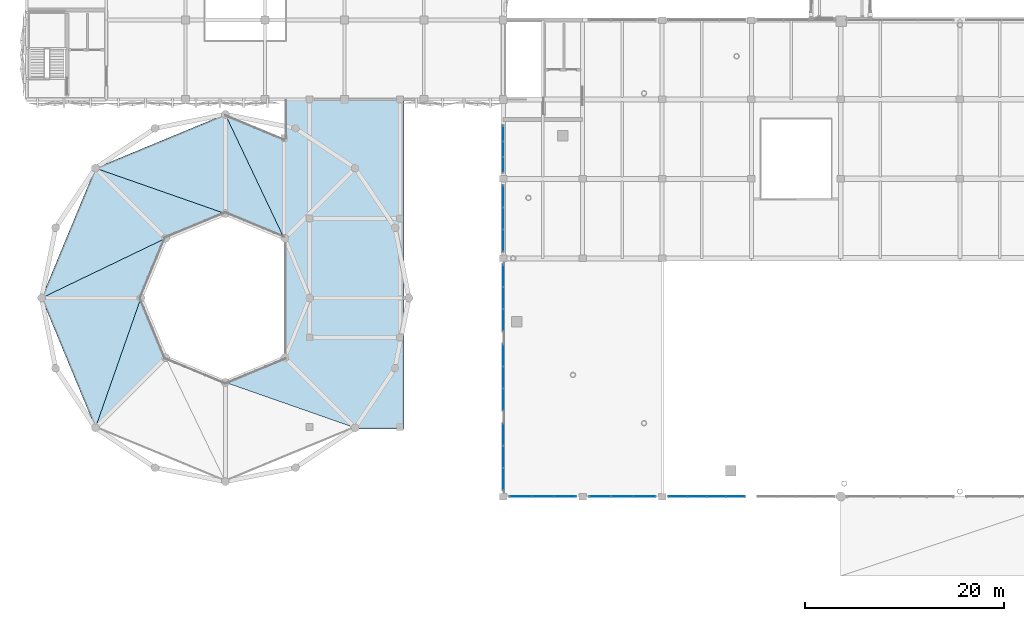
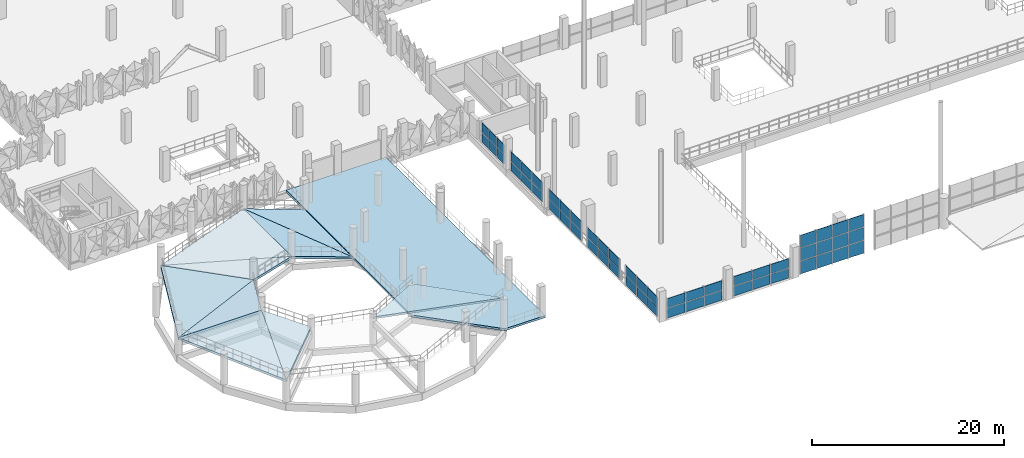
# One storey, part 60 of 123: 54 plates, 10 slabs, 8 elements without a shape of their own.
"""IFC4 building model written with IfcOpenShell, lengths in metres."""

from ifc_helpers import new_model, si_unit, derived_unit, direction, frame, origin, origin_2d, place, context, subcontext, project, spatial, polyline, rectangle, outline, extrude, material, layer, layer_set, type_object, element, aggregate, save


model = new_model("IFC4")

# Units and contexts
model_context = context("Model", 3, precision=1e-05, world=origin(), true_north=direction((0.0, 1.0)))
body_context = subcontext(model_context, "Body", "Model", "MODEL_VIEW")
ifc_project = project(units=[si_unit("LENGTHUNIT", "METRE"), si_unit("AREAUNIT", "SQUARE_METRE"), si_unit("VOLUMEUNIT", "CUBIC_METRE"), si_unit("PLANEANGLEUNIT", "RADIAN"), si_unit("MASSUNIT", "GRAM", prefix="KILO"), si_unit("THERMODYNAMICTEMPERATUREUNIT", "KELVIN"), derived_unit("THERMALTRANSMITTANCEUNIT", [(si_unit("POWERUNIT", "WATT"), 1), (si_unit("AREAUNIT", "SQUARE_METRE"), -1), (si_unit("THERMODYNAMICTEMPERATUREUNIT", "KELVIN"), -1)])], contexts=[model_context])

# Site, building, storey
site_placement = place(None, origin())
site = spatial("IfcSite", under=ifc_project, at=site_placement, CompositionType="ELEMENT")
building_placement = place(site_placement, origin())
building = spatial("IfcBuilding", under=site, at=building_placement, Name="Haiyu Intermodal Mobility Hub", CompositionType="ELEMENT")
storey_placement = place(building_placement, frame((0.0, 0.0, 5.60009765625)))
storey = spatial("IfcBuildingStorey", under=building, at=storey_placement, Name="L01", CompositionType="ELEMENT", Elevation=5.60009765625)

# Curtain wall, plates
ifc_material_1 = material(Name="Low-e laminated insulating glass", Category="glass")
ifc_layer_1 = layer(ifc_material_1, 0.219970703125)
ifc_layer_set_1 = layer_set([ifc_layer_1], Name="Low-e laminated insulating glass")
curtain_wall_type_1 = type_object("IfcCurtainWallType", Name="CW-CW01", PredefinedType="NOTDEFINED", material=ifc_layer_set_1)
curtain_wall_1_placement = place(storey_placement, origin())
curtain_wall_1 = element("IfcCurtainWall", 1, at=curtain_wall_1_placement, inside=storey, type_object=curtain_wall_type_1, Name="Curtain Wall CW-V1S-L01-002", PredefinedType="NOTDEFINED")
ifc_layer_2 = layer(ifc_material_1, 0.035888671875)
ifc_layer_set_2 = layer_set([ifc_layer_2], Name="Low-e laminated insulating glass")
plate_type_1 = type_object("IfcPlateType", Name="PLT-CP01", PredefinedType="CURTAIN_PANEL", material=ifc_layer_set_2)
plate_1_placement = place(storey_placement, frame((63.77294921875, 40.0, 0.035400390625), z_axis=(0.0, 0.0, 1.0), x_axis=(1.0, 0.0, 0.0)))
plate_1 = element("IfcPlate", 2, at=plate_1_placement, type_object=plate_type_1, Name="CW-V1S-L01-002-PN01", PredefinedType="CURTAIN_PANEL", context=body_context, shape_type="SweptSolid", body=[
    extrude(rectangle(XDim=2.136962890625, YDim=0.035888671875, at=origin_2d()), origin(), (0.0, 0.0, 1.0), 1.205078125),
])
plate_2_placement = place(storey_placement, frame((66.0, 40.0, 0.035400390625), z_axis=(0.0, 0.0, 1.0), x_axis=(1.0, 0.0, 0.0)))
plate_2 = element("IfcPlate", 3, at=plate_2_placement, type_object=plate_type_1, Name="CW-V1S-L01-002-PN03", PredefinedType="CURTAIN_PANEL", context=body_context, shape_type="SweptSolid", body=[
    extrude(rectangle(XDim=2.136962890625, YDim=0.035888671875, at=origin_2d()), origin(), (0.0, 0.0, 1.0), 1.205078125),
])
plate_3_placement = place(storey_placement, frame((68.22705078125, 40.0, 0.035400390625), z_axis=(0.0, 0.0, 1.0), x_axis=(1.0, 0.0, 0.0)))
plate_3 = element("IfcPlate", 4, at=plate_3_placement, type_object=plate_type_1, Name="CW-V1S-L01-002-PN05", PredefinedType="CURTAIN_PANEL", context=body_context, shape_type="SweptSolid", body=[
    extrude(rectangle(XDim=2.136962890625, YDim=0.035888671875, at=origin_2d()), origin(), (0.0, 0.0, 1.0), 1.205078125),
])

curtain_wall_2_placement = place(storey_placement, origin())
curtain_wall_2 = element("IfcCurtainWall", 5, at=curtain_wall_2_placement, inside=storey, type_object=curtain_wall_type_1, Name="Curtain Wall CW-V1S-L01-004", PredefinedType="NOTDEFINED")
plate_4_placement = place(storey_placement, frame((71.77294921875, 40.0, 0.035400390625), z_axis=(0.0, 0.0, 1.0), x_axis=(1.0, 0.0, 0.0)))
plate_4 = element("IfcPlate", 6, at=plate_4_placement, type_object=plate_type_1, Name="CW-V1S-L01-004-PN01", PredefinedType="CURTAIN_PANEL", context=body_context, shape_type="SweptSolid", body=[
    extrude(rectangle(XDim=2.136962890625, YDim=0.035888671875, at=origin_2d()), origin(), (0.0, 0.0, 1.0), 1.205078125),
])
plate_5_placement = place(storey_placement, frame((74.0, 40.0, 0.035400390625), z_axis=(0.0, 0.0, 1.0), x_axis=(1.0, 0.0, 0.0)))
plate_5 = element("IfcPlate", 7, at=plate_5_placement, type_object=plate_type_1, Name="CW-V1S-L01-004-PN03", PredefinedType="CURTAIN_PANEL", context=body_context, shape_type="SweptSolid", body=[
    extrude(rectangle(XDim=2.136962890625, YDim=0.035888671875, at=origin_2d()), origin(), (0.0, 0.0, 1.0), 1.205078125),
])
plate_6_placement = place(storey_placement, frame((76.22705078125, 40.0, 0.035400390625), z_axis=(0.0, 0.0, 1.0), x_axis=(1.0, 0.0, 0.0)))
plate_6 = element("IfcPlate", 8, at=plate_6_placement, type_object=plate_type_1, Name="CW-V1S-L01-004-PN05", PredefinedType="CURTAIN_PANEL", context=body_context, shape_type="SweptSolid", body=[
    extrude(rectangle(XDim=2.136962890625, YDim=0.035888671875, at=origin_2d()), origin(), (0.0, 0.0, 1.0), 1.205078125),
])

curtain_wall_3_placement = place(storey_placement, origin())
curtain_wall_3 = element("IfcCurtainWall", 9, at=curtain_wall_3_placement, inside=storey, type_object=curtain_wall_type_1, Name="Curtain Wall CW-V1S-UP-006", PredefinedType="NOTDEFINED")
plate_7_placement = place(storey_placement, frame((79.6201171875, 40.0, 0.03564453125), z_axis=(0.0, 0.0, 1.0), x_axis=(1.0, 0.0, 0.0)))
plate_7 = element("IfcPlate", 10, at=plate_7_placement, type_object=plate_type_1, Name="CW-V1S-UP-006-PN01", PredefinedType="CURTAIN_PANEL", context=body_context, shape_type="SweptSolid", body=[
    extrude(rectangle(XDim=1.830078125, YDim=0.035888671875, at=origin_2d()), origin(), (0.0, 0.0, 1.0), 1.596923828125),
])
plate_8_placement = place(storey_placement, frame((79.6201171875, 40.0, 1.7021484375), z_axis=(0.0, 0.0, 1.0), x_axis=(1.0, 0.0, 0.0)))
plate_8 = element("IfcPlate", 11, at=plate_8_placement, type_object=plate_type_1, Name="CW-V1S-UP-006-PN02", PredefinedType="CURTAIN_PANEL", context=body_context, shape_type="SweptSolid", body=[
    extrude(rectangle(XDim=1.830078125, YDim=0.035888671875, at=origin_2d()), origin(), (0.0, 0.0, 1.0), 1.595947265625),
])
plate_9_placement = place(storey_placement, frame((81.5400390625, 40.0, 0.03564453125), z_axis=(0.0, 0.0, 1.0), x_axis=(1.0, 0.0, 0.0)))
plate_9 = element("IfcPlate", 12, at=plate_9_placement, type_object=plate_type_1, Name="CW-V1S-UP-006-PN04", PredefinedType="CURTAIN_PANEL", context=body_context, shape_type="SweptSolid", body=[
    extrude(rectangle(XDim=1.830078125, YDim=0.035888671875, at=origin_2d()), origin(), (0.0, 0.0, 1.0), 1.596923828125),
])
plate_10_placement = place(storey_placement, frame((81.5400390625, 40.0, 1.7021484375), z_axis=(0.0, 0.0, 1.0), x_axis=(1.0, 0.0, 0.0)))
plate_10 = element("IfcPlate", 13, at=plate_10_placement, type_object=plate_type_1, Name="CW-V1S-UP-006-PN05", PredefinedType="CURTAIN_PANEL", context=body_context, shape_type="SweptSolid", body=[
    extrude(rectangle(XDim=1.830078125, YDim=0.035888671875, at=origin_2d()), origin(), (0.0, 0.0, 1.0), 1.595947265625),
])
plate_11_placement = place(storey_placement, frame((83.4599609375, 40.0, 0.03564453125), z_axis=(0.0, 0.0, 1.0), x_axis=(1.0, 0.0, 0.0)))
plate_11 = element("IfcPlate", 14, at=plate_11_placement, type_object=plate_type_1, Name="CW-V1S-UP-006-PN07", PredefinedType="CURTAIN_PANEL", context=body_context, shape_type="SweptSolid", body=[
    extrude(rectangle(XDim=1.830078125, YDim=0.035888671875, at=origin_2d()), origin(), (0.0, 0.0, 1.0), 1.596923828125),
])
plate_12_placement = place(storey_placement, frame((83.4599609375, 40.0, 1.7021484375), z_axis=(0.0, 0.0, 1.0), x_axis=(1.0, 0.0, 0.0)))
plate_12 = element("IfcPlate", 15, at=plate_12_placement, type_object=plate_type_1, Name="CW-V1S-UP-006-PN08", PredefinedType="CURTAIN_PANEL", context=body_context, shape_type="SweptSolid", body=[
    extrude(rectangle(XDim=1.830078125, YDim=0.035888671875, at=origin_2d()), origin(), (0.0, 0.0, 1.0), 1.595947265625),
])
plate_13_placement = place(storey_placement, frame((85.3798828125, 40.0, 0.03564453125), z_axis=(0.0, 0.0, 1.0), x_axis=(1.0, 0.0, 0.0)))
plate_13 = element("IfcPlate", 16, at=plate_13_placement, type_object=plate_type_1, Name="CW-V1S-UP-006-PN10", PredefinedType="CURTAIN_PANEL", context=body_context, shape_type="SweptSolid", body=[
    extrude(rectangle(XDim=1.830078125, YDim=0.035888671875, at=origin_2d()), origin(), (0.0, 0.0, 1.0), 1.596923828125),
])
plate_14_placement = place(storey_placement, frame((85.3798828125, 40.0, 1.7021484375), z_axis=(0.0, 0.0, 1.0), x_axis=(1.0, 0.0, 0.0)))
plate_14 = element("IfcPlate", 17, at=plate_14_placement, type_object=plate_type_1, Name="CW-V1S-UP-006-PN11", PredefinedType="CURTAIN_PANEL", context=body_context, shape_type="SweptSolid", body=[
    extrude(rectangle(XDim=1.830078125, YDim=0.035888671875, at=origin_2d()), origin(), (0.0, 0.0, 1.0), 1.595947265625),
])

ifc_layer_3 = layer(ifc_material_1, 0.25)
ifc_layer_set_3 = layer_set([ifc_layer_3], Name="Low-e laminated insulating glass")
curtain_wall_type_2 = type_object("IfcCurtainWallType", Name="CW-CW02", PredefinedType="NOTDEFINED", material=ifc_layer_set_3)
curtain_wall_4_placement = place(storey_placement, origin())
curtain_wall_4 = element("IfcCurtainWall", 18, at=curtain_wall_4_placement, inside=storey, type_object=curtain_wall_type_2, Name="Curtain Wall CW-V1W-L01-033", PredefinedType="NOTDEFINED")
plate_15_placement = place(storey_placement, frame((62.0, 46.22705078125, 0.035400390625), z_axis=(0.0, 0.0, 1.0), x_axis=(0.0, -1.0, 0.0)))
plate_15 = element("IfcPlate", 19, at=plate_15_placement, type_object=plate_type_1, Name="CW-V1W-L01-033-PN01", PredefinedType="CURTAIN_PANEL", context=body_context, shape_type="SweptSolid", body=[
    extrude(rectangle(XDim=2.136962890625, YDim=0.035888671875, at=origin_2d()), origin(), (0.0, 0.0, 1.0), 1.205078125),
])
plate_16_placement = place(storey_placement, frame((62.0, 44.0, 0.035400390625), z_axis=(0.0, 0.0, 1.0), x_axis=(0.0, -1.0, 0.0)))
plate_16 = element("IfcPlate", 20, at=plate_16_placement, type_object=plate_type_1, Name="CW-V1W-L01-033-PN03", PredefinedType="CURTAIN_PANEL", context=body_context, shape_type="SweptSolid", body=[
    extrude(rectangle(XDim=2.136962890625, YDim=0.035888671875, at=origin_2d()), origin(), (0.0, 0.0, 1.0), 1.205078125),
])
plate_17_placement = place(storey_placement, frame((62.0, 41.77294921875, 0.035400390625), z_axis=(0.0, 0.0, 1.0), x_axis=(0.0, -1.0, 0.0)))
plate_17 = element("IfcPlate", 21, at=plate_17_placement, type_object=plate_type_1, Name="CW-V1W-L01-033-PN05", PredefinedType="CURTAIN_PANEL", context=body_context, shape_type="SweptSolid", body=[
    extrude(rectangle(XDim=2.136962890625, YDim=0.035888671875, at=origin_2d()), origin(), (0.0, 0.0, 1.0), 1.205078125),
])

curtain_wall_5_placement = place(storey_placement, origin())
curtain_wall_5 = element("IfcCurtainWall", 22, at=curtain_wall_5_placement, inside=storey, type_object=curtain_wall_type_2, Name="Curtain Wall CW-V1W-L01-034", PredefinedType="NOTDEFINED")
plate_18_placement = place(storey_placement, frame((62.0, 54.22705078125, 0.035400390625), z_axis=(0.0, 0.0, 1.0), x_axis=(0.0, -1.0, 0.0)))
plate_18 = element("IfcPlate", 23, at=plate_18_placement, type_object=plate_type_1, Name="CW-V1W-L01-034-PN01", PredefinedType="CURTAIN_PANEL", context=body_context, shape_type="SweptSolid", body=[
    extrude(rectangle(XDim=2.136962890625, YDim=0.035888671875, at=origin_2d()), origin(), (0.0, 0.0, 1.0), 1.205078125),
])
plate_19_placement = place(storey_placement, frame((62.0, 52.0, 0.035400390625), z_axis=(0.0, 0.0, 1.0), x_axis=(0.0, -1.0, 0.0)))
plate_19 = element("IfcPlate", 24, at=plate_19_placement, type_object=plate_type_1, Name="CW-V1W-L01-034-PN03", PredefinedType="CURTAIN_PANEL", context=body_context, shape_type="SweptSolid", body=[
    extrude(rectangle(XDim=2.136962890625, YDim=0.035888671875, at=origin_2d()), origin(), (0.0, 0.0, 1.0), 1.205078125),
])
plate_20_placement = place(storey_placement, frame((62.0, 49.77294921875, 0.035400390625), z_axis=(0.0, 0.0, 1.0), x_axis=(0.0, -1.0, 0.0)))
plate_20 = element("IfcPlate", 25, at=plate_20_placement, type_object=plate_type_1, Name="CW-V1W-L01-034-PN05", PredefinedType="CURTAIN_PANEL", context=body_context, shape_type="SweptSolid", body=[
    extrude(rectangle(XDim=2.136962890625, YDim=0.035888671875, at=origin_2d()), origin(), (0.0, 0.0, 1.0), 1.205078125),
])

curtain_wall_6_placement = place(storey_placement, origin())
curtain_wall_6 = element("IfcCurtainWall", 26, at=curtain_wall_6_placement, inside=storey, type_object=curtain_wall_type_2, Name="Curtain Wall CW-V1W-L01-035", PredefinedType="NOTDEFINED")
plate_21_placement = place(storey_placement, frame((62.0, 62.22705078125, 0.035400390625), z_axis=(0.0, 0.0, 1.0), x_axis=(0.0, -1.0, 0.0)))
plate_21 = element("IfcPlate", 27, at=plate_21_placement, type_object=plate_type_1, Name="CW-V1W-L01-035-PN01", PredefinedType="CURTAIN_PANEL", context=body_context, shape_type="SweptSolid", body=[
    extrude(rectangle(XDim=2.136962890625, YDim=0.035888671875, at=origin_2d()), origin(), (0.0, 0.0, 1.0), 1.205078125),
])
plate_22_placement = place(storey_placement, frame((62.0, 60.0, 0.035400390625), z_axis=(0.0, 0.0, 1.0), x_axis=(0.0, -1.0, 0.0)))
plate_22 = element("IfcPlate", 28, at=plate_22_placement, type_object=plate_type_1, Name="CW-V1W-L01-035-PN03", PredefinedType="CURTAIN_PANEL", context=body_context, shape_type="SweptSolid", body=[
    extrude(rectangle(XDim=2.136962890625, YDim=0.035888671875, at=origin_2d()), origin(), (0.0, 0.0, 1.0), 1.205078125),
])
plate_23_placement = place(storey_placement, frame((62.0, 57.77294921875, 0.035400390625), z_axis=(0.0, 0.0, 1.0), x_axis=(0.0, -1.0, 0.0)))
plate_23 = element("IfcPlate", 29, at=plate_23_placement, type_object=plate_type_1, Name="CW-V1W-L01-035-PN05", PredefinedType="CURTAIN_PANEL", context=body_context, shape_type="SweptSolid", body=[
    extrude(rectangle(XDim=2.136962890625, YDim=0.035888671875, at=origin_2d()), origin(), (0.0, 0.0, 1.0), 1.205078125),
])

curtain_wall_7_placement = place(storey_placement, origin())
curtain_wall_7 = element("IfcCurtainWall", 30, at=curtain_wall_7_placement, inside=storey, type_object=curtain_wall_type_2, Name="Curtain Wall CW-V1W-L01-036", PredefinedType="NOTDEFINED")
plate_24_placement = place(storey_placement, frame((62.0, 70.22705078125, 0.035400390625), z_axis=(0.0, 0.0, 1.0), x_axis=(0.0, -1.0, 0.0)))
plate_24 = element("IfcPlate", 31, at=plate_24_placement, type_object=plate_type_1, Name="CW-V1W-L01-036-PN01", PredefinedType="CURTAIN_PANEL", context=body_context, shape_type="SweptSolid", body=[
    extrude(rectangle(XDim=2.136962890625, YDim=0.035888671875, at=origin_2d()), origin(), (0.0, 0.0, 1.0), 1.205078125),
])
plate_25_placement = place(storey_placement, frame((62.0, 68.0, 0.035400390625), z_axis=(0.0, 0.0, 1.0), x_axis=(0.0, -1.0, 0.0)))
plate_25 = element("IfcPlate", 32, at=plate_25_placement, type_object=plate_type_1, Name="CW-V1W-L01-036-PN03", PredefinedType="CURTAIN_PANEL", context=body_context, shape_type="SweptSolid", body=[
    extrude(rectangle(XDim=2.136962890625, YDim=0.035888671875, at=origin_2d()), origin(), (0.0, 0.0, 1.0), 1.205078125),
])
plate_26_placement = place(storey_placement, frame((62.0, 65.77294921875, 0.035400390625), z_axis=(0.0, 0.0, 1.0), x_axis=(0.0, -1.0, 0.0)))
plate_26 = element("IfcPlate", 33, at=plate_26_placement, type_object=plate_type_1, Name="CW-V1W-L01-036-PN05", PredefinedType="CURTAIN_PANEL", context=body_context, shape_type="SweptSolid", body=[
    extrude(rectangle(XDim=2.136962890625, YDim=0.035888671875, at=origin_2d()), origin(), (0.0, 0.0, 1.0), 1.205078125),
])

curtain_wall_8_placement = place(storey_placement, origin())
curtain_wall_8 = element("IfcCurtainWall", 34, at=curtain_wall_8_placement, inside=storey, type_object=curtain_wall_type_2, Name="Curtain Wall CW-V1W-L01-037", PredefinedType="NOTDEFINED")
plate_27_placement = place(storey_placement, frame((62.0, 76.56005859375, 0.035400390625), z_axis=(0.0, 0.0, 1.0), x_axis=(0.0, -1.0, 0.0)))
plate_27 = element("IfcPlate", 35, at=plate_27_placement, type_object=plate_type_1, Name="CW-V1W-L01-037-PN01", PredefinedType="CURTAIN_PANEL", context=body_context, shape_type="SweptSolid", body=[
    extrude(rectangle(XDim=1.469970703125, YDim=0.035888671875, at=origin_2d()), origin(), (0.0, 0.0, 1.0), 1.205078125),
])
plate_28_placement = place(storey_placement, frame((62.0, 75.0, 0.035400390625), z_axis=(0.0, 0.0, 1.0), x_axis=(0.0, -1.0, 0.0)))
plate_28 = element("IfcPlate", 36, at=plate_28_placement, type_object=plate_type_1, Name="CW-V1W-L01-037-PN03", PredefinedType="CURTAIN_PANEL", context=body_context, shape_type="SweptSolid", body=[
    extrude(rectangle(XDim=1.469970703125, YDim=0.035888671875, at=origin_2d()), origin(), (0.0, 0.0, 1.0), 1.205078125),
])
plate_29_placement = place(storey_placement, frame((62.0, 73.43994140625, 0.035400390625), z_axis=(0.0, 0.0, 1.0), x_axis=(0.0, -1.0, 0.0)))
plate_29 = element("IfcPlate", 37, at=plate_29_placement, type_object=plate_type_1, Name="CW-V1W-L01-037-PN05", PredefinedType="CURTAIN_PANEL", context=body_context, shape_type="SweptSolid", body=[
    extrude(rectangle(XDim=1.469970703125, YDim=0.035888671875, at=origin_2d()), origin(), (0.0, 0.0, 1.0), 1.205078125),
])

# Plate
ifc_layer_4 = layer(ifc_material_1, 0.0439453125)
ifc_layer_set_4 = layer_set([ifc_layer_4], Name="Low-e laminated insulating glass")
plate_type_2 = type_object("IfcPlateType", Name="PLT-CP04", PredefinedType="CURTAIN_PANEL", material=ifc_layer_set_4)
plate_30_placement = place(storey_placement, frame((63.77294921875, 40.0, 1.309326171875), z_axis=(0.0, 0.0, 1.0), x_axis=(1.0, 0.0, 0.0)))
plate_30 = element("IfcPlate", 38, at=plate_30_placement, type_object=plate_type_2, Name="CW-V1S-L01-002-PN02", PredefinedType="CURTAIN_PANEL", context=body_context, shape_type="SweptSolid", body=[
    extrude(rectangle(XDim=2.136962890625, YDim=0.0439453125, at=origin_2d()), origin(), (0.0, 0.0, 1.0), 1.205078125),
])

plate_31_placement = place(storey_placement, frame((66.0, 40.0, 1.309326171875), z_axis=(0.0, 0.0, 1.0), x_axis=(1.0, 0.0, 0.0)))
plate_31 = element("IfcPlate", 39, at=plate_31_placement, type_object=plate_type_2, Name="CW-V1S-L01-002-PN04", PredefinedType="CURTAIN_PANEL", context=body_context, shape_type="SweptSolid", body=[
    extrude(rectangle(XDim=2.136962890625, YDim=0.0439453125, at=origin_2d()), origin(), (0.0, 0.0, 1.0), 1.205078125),
])

plate_32_placement = place(storey_placement, frame((68.22705078125, 40.0, 1.309326171875), z_axis=(0.0, 0.0, 1.0), x_axis=(1.0, 0.0, 0.0)))
plate_32 = element("IfcPlate", 40, at=plate_32_placement, type_object=plate_type_2, Name="CW-V1S-L01-002-PN06", PredefinedType="CURTAIN_PANEL", context=body_context, shape_type="SweptSolid", body=[
    extrude(rectangle(XDim=2.136962890625, YDim=0.0439453125, at=origin_2d()), origin(), (0.0, 0.0, 1.0), 1.205078125),
])

aggregate(curtain_wall_1, [plate_1, plate_30, plate_2, plate_31, plate_3, plate_32])

plate_33_placement = place(storey_placement, frame((71.77294921875, 40.0, 1.309326171875), z_axis=(0.0, 0.0, 1.0), x_axis=(1.0, 0.0, 0.0)))
plate_33 = element("IfcPlate", 41, at=plate_33_placement, type_object=plate_type_2, Name="CW-V1S-L01-004-PN02", PredefinedType="CURTAIN_PANEL", context=body_context, shape_type="SweptSolid", body=[
    extrude(rectangle(XDim=2.136962890625, YDim=0.0439453125, at=origin_2d()), origin(), (0.0, 0.0, 1.0), 1.205078125),
])

plate_34_placement = place(storey_placement, frame((74.0, 40.0, 1.309326171875), z_axis=(0.0, 0.0, 1.0), x_axis=(1.0, 0.0, 0.0)))
plate_34 = element("IfcPlate", 42, at=plate_34_placement, type_object=plate_type_2, Name="CW-V1S-L01-004-PN04", PredefinedType="CURTAIN_PANEL", context=body_context, shape_type="SweptSolid", body=[
    extrude(rectangle(XDim=2.136962890625, YDim=0.0439453125, at=origin_2d()), origin(), (0.0, 0.0, 1.0), 1.205078125),
])

plate_35_placement = place(storey_placement, frame((76.22705078125, 40.0, 1.309326171875), z_axis=(0.0, 0.0, 1.0), x_axis=(1.0, 0.0, 0.0)))
plate_35 = element("IfcPlate", 43, at=plate_35_placement, type_object=plate_type_2, Name="CW-V1S-L01-004-PN06", PredefinedType="CURTAIN_PANEL", context=body_context, shape_type="SweptSolid", body=[
    extrude(rectangle(XDim=2.136962890625, YDim=0.0439453125, at=origin_2d()), origin(), (0.0, 0.0, 1.0), 1.205078125),
])

aggregate(curtain_wall_2, [plate_4, plate_33, plate_5, plate_34, plate_6, plate_35])

plate_36_placement = place(storey_placement, frame((79.6201171875, 40.0, 3.36767578125), z_axis=(0.0, 0.0, 1.0), x_axis=(1.0, 0.0, 0.0)))
plate_36 = element("IfcPlate", 44, at=plate_36_placement, type_object=plate_type_2, Name="CW-V1S-UP-006-PN03", PredefinedType="CURTAIN_PANEL", context=body_context, shape_type="SweptSolid", body=[
    extrude(rectangle(XDim=1.830078125, YDim=0.0439453125, at=origin_2d()), origin(), (0.0, 0.0, 1.0), 1.596923828125),
])

plate_37_placement = place(storey_placement, frame((81.5400390625, 40.0, 3.36767578125), z_axis=(0.0, 0.0, 1.0), x_axis=(1.0, 0.0, 0.0)))
plate_37 = element("IfcPlate", 45, at=plate_37_placement, type_object=plate_type_2, Name="CW-V1S-UP-006-PN06", PredefinedType="CURTAIN_PANEL", context=body_context, shape_type="SweptSolid", body=[
    extrude(rectangle(XDim=1.830078125, YDim=0.0439453125, at=origin_2d()), origin(), (0.0, 0.0, 1.0), 1.596923828125),
])

plate_38_placement = place(storey_placement, frame((83.4599609375, 40.0, 3.36767578125), z_axis=(0.0, 0.0, 1.0), x_axis=(1.0, 0.0, 0.0)))
plate_38 = element("IfcPlate", 46, at=plate_38_placement, type_object=plate_type_2, Name="CW-V1S-UP-006-PN09", PredefinedType="CURTAIN_PANEL", context=body_context, shape_type="SweptSolid", body=[
    extrude(rectangle(XDim=1.830078125, YDim=0.0439453125, at=origin_2d()), origin(), (0.0, 0.0, 1.0), 1.596923828125),
])

plate_39_placement = place(storey_placement, frame((85.3798828125, 40.0, 3.36767578125), z_axis=(0.0, 0.0, 1.0), x_axis=(1.0, 0.0, 0.0)))
plate_39 = element("IfcPlate", 47, at=plate_39_placement, type_object=plate_type_2, Name="CW-V1S-UP-006-PN12", PredefinedType="CURTAIN_PANEL", context=body_context, shape_type="SweptSolid", body=[
    extrude(rectangle(XDim=1.830078125, YDim=0.0439453125, at=origin_2d()), origin(), (0.0, 0.0, 1.0), 1.596923828125),
])

aggregate(curtain_wall_3, [plate_7, plate_8, plate_36, plate_9, plate_10, plate_37, plate_11, plate_12, plate_38, plate_13, plate_14, plate_39])

plate_40_placement = place(storey_placement, frame((62.0, 46.22705078125, 1.309326171875), z_axis=(0.0, 0.0, 1.0), x_axis=(0.0, -1.0, 0.0)))
plate_40 = element("IfcPlate", 48, at=plate_40_placement, type_object=plate_type_2, Name="CW-V1W-L01-033-PN02", PredefinedType="CURTAIN_PANEL", context=body_context, shape_type="SweptSolid", body=[
    extrude(rectangle(XDim=2.136962890625, YDim=0.0439453125, at=origin_2d()), origin(), (0.0, 0.0, 1.0), 1.205078125),
])

plate_41_placement = place(storey_placement, frame((62.0, 44.0, 1.309326171875), z_axis=(0.0, 0.0, 1.0), x_axis=(0.0, -1.0, 0.0)))
plate_41 = element("IfcPlate", 49, at=plate_41_placement, type_object=plate_type_2, Name="CW-V1W-L01-033-PN04", PredefinedType="CURTAIN_PANEL", context=body_context, shape_type="SweptSolid", body=[
    extrude(rectangle(XDim=2.136962890625, YDim=0.0439453125, at=origin_2d()), origin(), (0.0, 0.0, 1.0), 1.205078125),
])

plate_42_placement = place(storey_placement, frame((62.0, 41.77294921875, 1.309326171875), z_axis=(0.0, 0.0, 1.0), x_axis=(0.0, -1.0, 0.0)))
plate_42 = element("IfcPlate", 50, at=plate_42_placement, type_object=plate_type_2, Name="CW-V1W-L01-033-PN06", PredefinedType="CURTAIN_PANEL", context=body_context, shape_type="SweptSolid", body=[
    extrude(rectangle(XDim=2.136962890625, YDim=0.0439453125, at=origin_2d()), origin(), (0.0, 0.0, 1.0), 1.205078125),
])

aggregate(curtain_wall_4, [plate_15, plate_40, plate_16, plate_41, plate_17, plate_42])

plate_43_placement = place(storey_placement, frame((62.0, 54.22705078125, 1.309326171875), z_axis=(0.0, 0.0, 1.0), x_axis=(0.0, -1.0, 0.0)))
plate_43 = element("IfcPlate", 51, at=plate_43_placement, type_object=plate_type_2, Name="CW-V1W-L01-034-PN02", PredefinedType="CURTAIN_PANEL", context=body_context, shape_type="SweptSolid", body=[
    extrude(rectangle(XDim=2.136962890625, YDim=0.0439453125, at=origin_2d()), origin(), (0.0, 0.0, 1.0), 1.205078125),
])

plate_44_placement = place(storey_placement, frame((62.0, 52.0, 1.309326171875), z_axis=(0.0, 0.0, 1.0), x_axis=(0.0, -1.0, 0.0)))
plate_44 = element("IfcPlate", 52, at=plate_44_placement, type_object=plate_type_2, Name="CW-V1W-L01-034-PN04", PredefinedType="CURTAIN_PANEL", context=body_context, shape_type="SweptSolid", body=[
    extrude(rectangle(XDim=2.136962890625, YDim=0.0439453125, at=origin_2d()), origin(), (0.0, 0.0, 1.0), 1.205078125),
])

plate_45_placement = place(storey_placement, frame((62.0, 49.77294921875, 1.309326171875), z_axis=(0.0, 0.0, 1.0), x_axis=(0.0, -1.0, 0.0)))
plate_45 = element("IfcPlate", 53, at=plate_45_placement, type_object=plate_type_2, Name="CW-V1W-L01-034-PN06", PredefinedType="CURTAIN_PANEL", context=body_context, shape_type="SweptSolid", body=[
    extrude(rectangle(XDim=2.136962890625, YDim=0.0439453125, at=origin_2d()), origin(), (0.0, 0.0, 1.0), 1.205078125),
])

aggregate(curtain_wall_5, [plate_18, plate_43, plate_19, plate_44, plate_20, plate_45])

plate_46_placement = place(storey_placement, frame((62.0, 62.22705078125, 1.309326171875), z_axis=(0.0, 0.0, 1.0), x_axis=(0.0, -1.0, 0.0)))
plate_46 = element("IfcPlate", 54, at=plate_46_placement, type_object=plate_type_2, Name="CW-V1W-L01-035-PN02", PredefinedType="CURTAIN_PANEL", context=body_context, shape_type="SweptSolid", body=[
    extrude(rectangle(XDim=2.136962890625, YDim=0.0439453125, at=origin_2d()), origin(), (0.0, 0.0, 1.0), 1.205078125),
])

plate_47_placement = place(storey_placement, frame((62.0, 60.0, 1.309326171875), z_axis=(0.0, 0.0, 1.0), x_axis=(0.0, -1.0, 0.0)))
plate_47 = element("IfcPlate", 55, at=plate_47_placement, type_object=plate_type_2, Name="CW-V1W-L01-035-PN04", PredefinedType="CURTAIN_PANEL", context=body_context, shape_type="SweptSolid", body=[
    extrude(rectangle(XDim=2.136962890625, YDim=0.0439453125, at=origin_2d()), origin(), (0.0, 0.0, 1.0), 1.205078125),
])

plate_48_placement = place(storey_placement, frame((62.0, 57.77294921875, 1.309326171875), z_axis=(0.0, 0.0, 1.0), x_axis=(0.0, -1.0, 0.0)))
plate_48 = element("IfcPlate", 56, at=plate_48_placement, type_object=plate_type_2, Name="CW-V1W-L01-035-PN06", PredefinedType="CURTAIN_PANEL", context=body_context, shape_type="SweptSolid", body=[
    extrude(rectangle(XDim=2.136962890625, YDim=0.0439453125, at=origin_2d()), origin(), (0.0, 0.0, 1.0), 1.205078125),
])

aggregate(curtain_wall_6, [plate_21, plate_46, plate_22, plate_47, plate_23, plate_48])

plate_49_placement = place(storey_placement, frame((62.0, 70.22705078125, 1.309326171875), z_axis=(0.0, 0.0, 1.0), x_axis=(0.0, -1.0, 0.0)))
plate_49 = element("IfcPlate", 57, at=plate_49_placement, type_object=plate_type_2, Name="CW-V1W-L01-036-PN02", PredefinedType="CURTAIN_PANEL", context=body_context, shape_type="SweptSolid", body=[
    extrude(rectangle(XDim=2.136962890625, YDim=0.0439453125, at=origin_2d()), origin(), (0.0, 0.0, 1.0), 1.205078125),
])

plate_50_placement = place(storey_placement, frame((62.0, 68.0, 1.309326171875), z_axis=(0.0, 0.0, 1.0), x_axis=(0.0, -1.0, 0.0)))
plate_50 = element("IfcPlate", 58, at=plate_50_placement, type_object=plate_type_2, Name="CW-V1W-L01-036-PN04", PredefinedType="CURTAIN_PANEL", context=body_context, shape_type="SweptSolid", body=[
    extrude(rectangle(XDim=2.136962890625, YDim=0.0439453125, at=origin_2d()), origin(), (0.0, 0.0, 1.0), 1.205078125),
])

plate_51_placement = place(storey_placement, frame((62.0, 65.77294921875, 1.309326171875), z_axis=(0.0, 0.0, 1.0), x_axis=(0.0, -1.0, 0.0)))
plate_51 = element("IfcPlate", 59, at=plate_51_placement, type_object=plate_type_2, Name="CW-V1W-L01-036-PN06", PredefinedType="CURTAIN_PANEL", context=body_context, shape_type="SweptSolid", body=[
    extrude(rectangle(XDim=2.136962890625, YDim=0.0439453125, at=origin_2d()), origin(), (0.0, 0.0, 1.0), 1.205078125),
])

aggregate(curtain_wall_7, [plate_24, plate_49, plate_25, plate_50, plate_26, plate_51])

plate_52_placement = place(storey_placement, frame((62.0, 76.56005859375, 1.309326171875), z_axis=(0.0, 0.0, 1.0), x_axis=(0.0, -1.0, 0.0)))
plate_52 = element("IfcPlate", 60, at=plate_52_placement, type_object=plate_type_2, Name="CW-V1W-L01-037-PN02", PredefinedType="CURTAIN_PANEL", context=body_context, shape_type="SweptSolid", body=[
    extrude(rectangle(XDim=1.469970703125, YDim=0.0439453125, at=origin_2d()), origin(), (0.0, 0.0, 1.0), 1.205078125),
])

plate_53_placement = place(storey_placement, frame((62.0, 75.0, 1.309326171875), z_axis=(0.0, 0.0, 1.0), x_axis=(0.0, -1.0, 0.0)))
plate_53 = element("IfcPlate", 61, at=plate_53_placement, type_object=plate_type_2, Name="CW-V1W-L01-037-PN04", PredefinedType="CURTAIN_PANEL", context=body_context, shape_type="SweptSolid", body=[
    extrude(rectangle(XDim=1.469970703125, YDim=0.0439453125, at=origin_2d()), origin(), (0.0, 0.0, 1.0), 1.205078125),
])

plate_54_placement = place(storey_placement, frame((62.0, 73.43994140625, 1.309326171875), z_axis=(0.0, 0.0, 1.0), x_axis=(0.0, -1.0, 0.0)))
plate_54 = element("IfcPlate", 62, at=plate_54_placement, type_object=plate_type_2, Name="CW-V1W-L01-037-PN06", PredefinedType="CURTAIN_PANEL", context=body_context, shape_type="SweptSolid", body=[
    extrude(rectangle(XDim=1.469970703125, YDim=0.0439453125, at=origin_2d()), origin(), (0.0, 0.0, 1.0), 1.205078125),
])

aggregate(curtain_wall_8, [plate_27, plate_52, plate_28, plate_53, plate_29, plate_54])

# Slabs
ifc_material_2 = material(Name="Concrete C40", Category="concrete")
ifc_layer_5 = layer(ifc_material_2, 0.27001953125)
ifc_layer_set_5 = layer_set([ifc_layer_5], Name="Concrete C40")
slab_type_1 = type_object("IfcSlabType", Name="SLB-SL14", PredefinedType="USERDEFINED", material=ifc_layer_set_5)
slab_1_placement = place(storey_placement, frame((0.0, 0.0, -0.27001953125)))
element("IfcSlab", 63, at=slab_1_placement, inside=storey, type_object=slab_type_1, Name="L01 Helical Ramp Arrival Deck", ObjectType="RAMP DECK", PredefinedType="USERDEFINED", context=body_context, shape_type="SweptSolid", body=[
    extrude(outline(polyline([(39.949951171875, 53.85009765625), (47.14990234375, 46.800048828125), (52.0, 46.800048828125), (52.0, 80.0), (40.0, 80.0), (39.949951171875, 53.85009765625)])), origin(), (0.0, 0.0, 1.0), 0.27001953125),
])
ifc_layer_6 = layer(ifc_material_2, 0.280029296875)
ifc_layer_set_6 = layer_set([ifc_layer_6], Name="Concrete C40")
slab_type_2 = type_object("IfcSlabType", Name="SLB-SL16", PredefinedType="USERDEFINED", material=ifc_layer_set_6)
slab_2_placement = place(storey_placement, frame((39.89990234375, 66.055908203125, 0.0), z_axis=(0.109492471153, 0.0, 0.993987625054), x_axis=(0.0, 1.0, 0.0)))
element("IfcSlab", 64, at=slab_2_placement, inside=storey, type_object=slab_type_2, Name="Structural Vehicle Ramp Slab L01-01-1", ObjectType="RAMP DECK", PredefinedType="USERDEFINED", context=body_context, shape_type="SweptSolid", body=[
    extrude(outline(polyline([(0.0, 0.0), (10.0, 0.0), (12.444091796875, 5.935589332340849), (0.0, 0.0)])), origin(), (0.0, 0.0, -1.0), 0.280029296875),
])
slab_3_placement = place(storey_placement, frame((39.89990234375, 66.055908203125, 0.0), z_axis=(0.109492471153, 0.0, 0.993987625054), x_axis=(-0.427926345205, 0.902583536434, 0.04713812509)))
element("IfcSlab", 65, at=slab_3_placement, inside=storey, type_object=slab_type_2, Name="Structural Vehicle Ramp Slab L01-01-2", ObjectType="RAMP DECK", PredefinedType="USERDEFINED", context=body_context, shape_type="SweptSolid", body=[
    extrude(outline(polyline([(0.0, 0.0), (13.7871912067415, -2.636779683484747e-16), (4.761355842399681, 4.30514761370578), (0.0, 0.0)])), origin(), (0.0, 0.0, -1.0), 0.280029296875),
])
slab_4_placement = place(storey_placement, frame((34.0, 68.5, 0.64990234375), z_axis=(0.049621512991, 0.0, 0.998768093928), x_axis=(0.0, 1.0, 0.0)))
element("IfcSlab", 66, at=slab_4_placement, inside=storey, type_object=slab_type_2, Name="Structural Vehicle Ramp Slab L01-02-1", ObjectType="RAMP DECK", PredefinedType="USERDEFINED", context=body_context, shape_type="SweptSolid", body=[
    extrude(outline(polyline([(0.0, 0.0), (10.0, 0.0), (4.5810546875, 13.097189194395012), (0.0, 0.0)])), origin(), (0.0, 0.0, -1.0), 0.280029296875),
])
slab_5_placement = place(storey_placement, frame((34.0, 68.5, 0.64990234375), z_axis=(0.076016001595, 0.076016001595, 0.994204775186), x_axis=(-0.942762061819, 0.330160271145, 0.046838981123)))
element("IfcSlab", 67, at=slab_5_placement, inside=storey, type_object=slab_type_2, Name="Structural Vehicle Ramp Slab L01-02-2", ObjectType="RAMP DECK", PredefinedType="USERDEFINED", context=body_context, shape_type="SweptSolid", body=[
    extrude(outline(polyline([(0.0, 0.0), (13.875245109317643, 2.0816681711721685e-16), (4.874354110871246, 4.356984485677573), (0.0, 0.0)])), origin(), (0.0, 0.0, -1.0), 0.280029296875),
])
slab_6_placement = place(storey_placement, frame((27.989990234375, 66.010009765625, 1.2998046875), z_axis=(0.035099730578, 0.035099730578, 0.998767249076), x_axis=(-0.707106781187, 0.707106781187, 0.0)))
element("IfcSlab", 68, at=slab_6_placement, inside=storey, type_object=slab_type_2, Name="Structural Vehicle Ramp Slab L01-03-1", ObjectType="RAMP DECK", PredefinedType="USERDEFINED", context=body_context, shape_type="SweptSolid", body=[
    extrude(outline(polyline([(0.0, 0.0), (9.999967628665027, 0.0), (4.582038131409509, 13.097621557028786), (0.0, 0.0)])), origin(), (0.0, 0.0, -1.0), 0.280029296875),
])
slab_7_placement = place(storey_placement, frame((27.989990234375, 66.010009765625, 1.2998046875), z_axis=(0.0, 0.107549814878, 0.994199696902), x_axis=(-0.900116033999, -0.433123329404, 0.046854101889)))
element("IfcSlab", 69, at=slab_7_placement, inside=storey, type_object=slab_type_2, Name="Structural Vehicle Ramp Slab L01-03-2", ObjectType="RAMP DECK", PredefinedType="USERDEFINED", context=body_context, shape_type="SweptSolid", body=[
    extrude(outline(polyline([(0.0, 0.0), (13.87597794351216, 8.326672684688674e-17), (4.874817603519826, 4.356502327986193), (0.0, 0.0)])), origin(), (0.0, 0.0, -1.0), 0.280029296875),
])
slab_8_placement = place(storey_placement, frame((25.5, 60.0, 1.949951171875), z_axis=(0.0, 0.049621512991, 0.998768093928), x_axis=(-1.0, 0.0, 0.0)))
element("IfcSlab", 70, at=slab_8_placement, inside=storey, type_object=slab_type_2, Name="Structural Vehicle Ramp Slab L01-04-1", ObjectType="RAMP DECK", PredefinedType="USERDEFINED", context=body_context, shape_type="SweptSolid", body=[
    extrude(outline(polyline([(0.0, 0.0), (10.0, 0.0), (4.5810546875, 13.097189194395012), (0.0, 0.0)])), origin(), (0.0, 0.0, -1.0), 0.280029296875),
])
for number, where, z_axis, x_axis, name in (
    (71, (25.5, 60.0, 1.949951171875), (-0.076016001595, 0.076016001595, 0.994204775186), (-0.330160271145, -0.942762061819, 0.046838981123), "Structural Vehicle Ramp Slab L01-04-2"),
    (72, (34.0, 51.5, 3.25), (-0.076016001595, -0.076016001595, 0.994204775186), (0.942762061819, -0.330160271145, 0.046838981123), "Structural Vehicle Ramp Slab L01-06-2"),
):
    element("IfcSlab", number, at=place(storey_placement, frame(where, z_axis=z_axis, x_axis=x_axis)), inside=storey, type_object=slab_type_2, Name=name, ObjectType="RAMP DECK", PredefinedType="USERDEFINED", context=body_context, shape_type="SweptSolid", body=[
        extrude(outline(polyline([(0.0, 0.0), (13.875245109317643, 2.0816681711721685e-16), (4.874354110871246, 4.356984485677573), (0.0, 0.0)])), origin(), (0.0, 0.0, -1.0), 0.280029296875),
    ])

save(model, "model.ifc")
